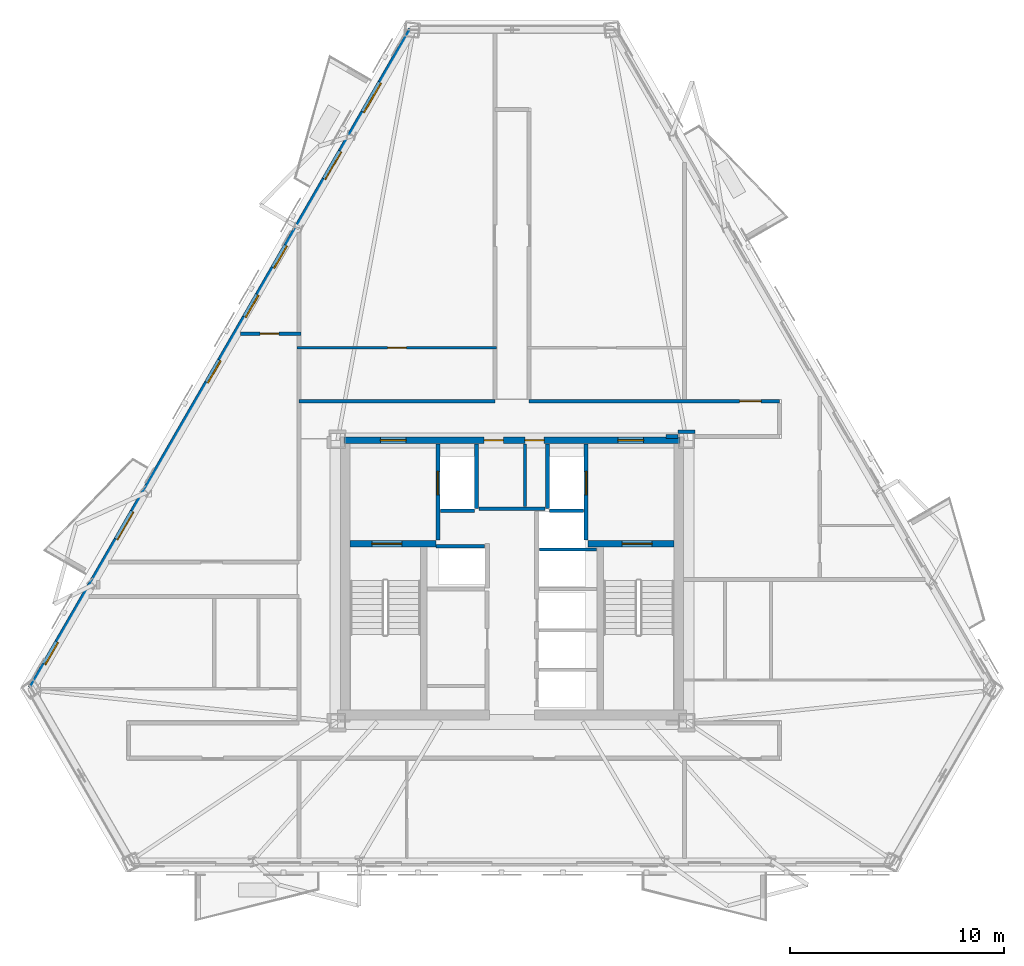
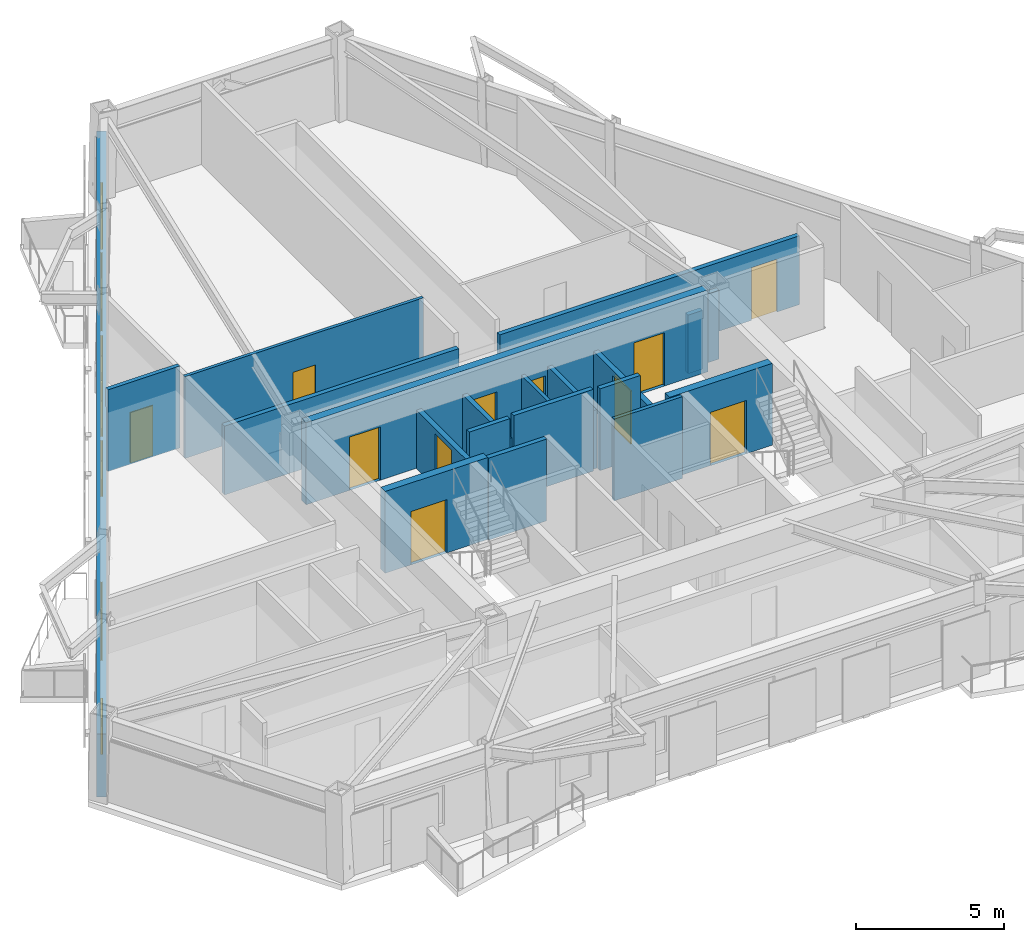
# One storey, part 4 of 9: 20 walls, 13 doors, 5 windows, 18 openings.
"""IFC4 building model written with IfcOpenShell, lengths in metres."""

from ifc_helpers import new_model, si_unit, direction, frame, frame_2d, origin, place, context, subcontext, project, spatial, rectangle, extrude, material, layer, layer_set, type_object, element, fill, save


model = new_model("IFC4")

# Units and contexts
model_context = context("Model", 3, precision=1e-05, world=origin(), true_north=direction((0.0, 1.0)))
body_context = subcontext(model_context, "Body", "Model", "MODEL_VIEW")
ifc_project = project(units=[si_unit("LENGTHUNIT", "METRE"), si_unit("AREAUNIT", "SQUARE_METRE"), si_unit("VOLUMEUNIT", "CUBIC_METRE"), si_unit("PLANEANGLEUNIT", "RADIAN"), si_unit("MASSUNIT", "GRAM", prefix="KILO")], contexts=[model_context])

# Site, building, storey
site_placement = place(None, origin())
site = spatial("IfcSite", under=ifc_project, at=site_placement, CompositionType="ELEMENT")
building_placement = place(site_placement, origin())
building = spatial("IfcBuilding", under=site, at=building_placement, Name="Oramaril Tower", CompositionType="ELEMENT")
storey_placement = place(building_placement, frame((0.0, 0.0, 153.0)))
storey = spatial("IfcBuildingStorey", under=building, at=storey_placement, Name="L40", CompositionType="ELEMENT", Elevation=153.0)

# Wall, openings, doors, windows
ifc_material_1 = material(Name="Warm Cream Limestone", Category="masonry")
ifc_layer_1 = layer(ifc_material_1, 0.340087890625)
ifc_layer_set_1 = layer_set([ifc_layer_1], Name="WT-EXT34")
wall_type_1 = type_object("IfcWallType", Name="WT-EXT34", PredefinedType="SOLIDWALL", material=ifc_layer_set_1)
wall_1_placement = place(storey_placement, frame((32.81787109375, 43.322021484375, 0.0), z_axis=(0.0, 0.0, 1.0), x_axis=(-0.500000946011, -0.866024857604, 0.0)))
wall_1 = element("IfcWall", 1, at=wall_1_placement, inside=storey, type_object=wall_type_1, Name="L40 Tower Limestone Facade Wall 6M", PredefinedType="SOLIDWALL", context=body_context, shape_type="SweptSolid", body=[
    extrude(rectangle(XDim=35.53955078125, YDim=0.340087890625, at=frame_2d((17.769775390625, 0.0))), origin(), (0.0, 0.0, 1.0), 2.60009765625),
])
opening_1_placement = place(wall_1_placement, frame((6.579345703125, 0.0, 0.0)))
opening_1 = element("IfcOpeningElement", 2, at=opening_1_placement, cuts=wall_1, Name="Opening D-L40-BAL-NW1", PredefinedType="OPENING", context=body_context, shape_type="SweptSolid", body=[
    extrude(rectangle(XDim=1.5, YDim=2.199951171875, at=frame_2d((0.75, 1.10009765625))), frame((0.0, 0.169921875, 0.0), z_axis=(0.0, -1.0, 0.0), x_axis=(1.0, 0.0, 0.0)), (0.0, 0.0, 1.0), 0.340087890625),
])
opening_2_placement = place(wall_1_placement, frame((26.005126953125, 0.0, 0.0)))
opening_2 = element("IfcOpeningElement", 3, at=opening_2_placement, cuts=wall_1, Name="Opening D-L40-BAL-NW2", PredefinedType="OPENING", context=body_context, shape_type="SweptSolid", body=[
    extrude(rectangle(XDim=1.5, YDim=2.199951171875, at=frame_2d((0.75, 1.10009765625))), frame((0.0, 0.169921875, 0.0), z_axis=(0.0, -1.0, 0.0), x_axis=(1.0, 0.0, 0.0)), (0.0, 0.0, 1.0), 0.340087890625),
])
opening_3_placement = place(wall_1_placement, frame((33.048583984375, 0.0, 0.85009765625)))
opening_3 = element("IfcOpeningElement", 4, at=opening_3_placement, cuts=wall_1, Name="Opening WN-09", PredefinedType="OPENING", context=body_context, shape_type="SweptSolid", body=[
    extrude(rectangle(XDim=1.199951171875, YDim=1.47998046875, at=frame_2d((0.60009765625, 0.739990234375))), frame((0.0, 0.169921875, 0.0), z_axis=(0.0, -1.0, 0.0), x_axis=(1.0, 0.0, 0.0)), (0.0, 0.0, 1.0), 0.340087890625),
])
opening_4_placement = place(wall_1_placement, frame((17.852783203125, 0.0, 0.85009765625)))
opening_4 = element("IfcOpeningElement", 5, at=opening_4_placement, cuts=wall_1, Name="Opening WN-09", PredefinedType="OPENING", context=body_context, shape_type="SweptSolid", body=[
    extrude(rectangle(XDim=1.199951171875, YDim=1.47998046875, at=frame_2d((0.60009765625, 0.739990234375))), frame((0.0, 0.169921875, 0.0), z_axis=(0.0, -1.0, 0.0), x_axis=(1.0, 0.0, 0.0)), (0.0, 0.0, 1.0), 0.340087890625),
])
opening_5_placement = place(wall_1_placement, frame((11.660888671875, 0.0, 0.85009765625)))
opening_5 = element("IfcOpeningElement", 6, at=opening_5_placement, cuts=wall_1, Name="Opening WN-09", PredefinedType="OPENING", context=body_context, shape_type="SweptSolid", body=[
    extrude(rectangle(XDim=1.199951171875, YDim=1.47998046875, at=frame_2d((0.60009765625, 0.739990234375))), frame((0.0, 0.169921875, 0.0), z_axis=(0.0, -1.0, 0.0), x_axis=(1.0, 0.0, 0.0)), (0.0, 0.0, 1.0), 0.340087890625),
])
opening_6_placement = place(wall_1_placement, frame((14.317138671875, 0.0, 0.85009765625)))
opening_6 = element("IfcOpeningElement", 7, at=opening_6_placement, cuts=wall_1, Name="Opening WN-09", PredefinedType="OPENING", context=body_context, shape_type="SweptSolid", body=[
    extrude(rectangle(XDim=1.199951171875, YDim=1.47998046875, at=frame_2d((0.60009765625, 0.739990234375))), frame((0.0, 0.169921875, 0.0), z_axis=(0.0, -1.0, 0.0), x_axis=(1.0, 0.0, 0.0)), (0.0, 0.0, 1.0), 0.340087890625),
])
opening_7_placement = place(wall_1_placement, frame((2.864990234375, 0.0, 0.85009765625)))
opening_7 = element("IfcOpeningElement", 8, at=opening_7_placement, cuts=wall_1, Name="Opening WN-07", PredefinedType="OPENING", context=body_context, shape_type="SweptSolid", body=[
    extrude(rectangle(XDim=1.60009765625, YDim=1.639892578125, at=frame_2d((0.800048828125, 0.81982421875))), frame((0.0, 0.169921875, 0.0), z_axis=(0.0, -1.0, 0.0), x_axis=(1.0, 0.0, 0.0)), (0.0, 0.0, 1.0), 0.340087890625),
])
ifc_material_2 = material(Name="Anodised Aluminium 6063-T6", Category="aluminium")
door_type_1 = type_object("IfcDoorType", Name="DT-BAL", OperationType="NOTDEFINED", PredefinedType="DOOR", material=ifc_material_2)
door_1_placement = place(opening_1_placement, origin())
door_1 = element("IfcDoor", 9, at=door_1_placement, inside=storey, type_object=door_type_1, Name="L40 Balcony Glazed Door L40-BAL-NW1", OperationType="SINGLE_SWING_LEFT", OverallHeight=2.199951171875, OverallWidth=1.5, PredefinedType="DOOR", context=body_context, shape_type="SweptSolid", body=[
    extrude(rectangle(XDim=1.5, YDim=2.199951171875, at=frame_2d((0.75, 1.10009765625))), frame((0.0, 0.02490234375, 0.0), z_axis=(0.0, -1.0, 0.0), x_axis=(1.0, 0.0, 0.0)), (0.0, 0.0, 1.0), 0.050048828125),
])
fill(opening_1, door_1)
door_2_placement = place(opening_2_placement, origin())
door_2 = element("IfcDoor", 10, at=door_2_placement, inside=storey, type_object=door_type_1, Name="L40 Balcony Glazed Door L40-BAL-NW2", OperationType="SINGLE_SWING_RIGHT", OverallHeight=2.199951171875, OverallWidth=1.5, PredefinedType="DOOR", context=body_context, shape_type="SweptSolid", body=[
    extrude(rectangle(XDim=1.5, YDim=2.199951171875, at=frame_2d((0.75, 1.10009765625))), frame((0.0, 0.02490234375, 0.0), z_axis=(0.0, -1.0, 0.0), x_axis=(1.0, 0.0, 0.0)), (0.0, 0.0, 1.0), 0.050048828125),
])
fill(opening_2, door_2)
ifc_material_3 = material(Name="Coastal Low-E Insulated Glass", Category="glass")
window_type_1 = type_object("IfcWindowType", Name="WNT-07", PartitioningType="SINGLE_PANEL", PredefinedType="WINDOW", material=ifc_material_3)
window_1_placement = place(opening_7_placement, origin())
window_1 = element("IfcWindow", 11, at=window_1_placement, inside=storey, type_object=window_type_1, Name="L40 Chicago Bay Window WN-07", OverallHeight=1.639892578125, OverallWidth=1.60009765625, PartitioningType="SINGLE_PANEL", PredefinedType="WINDOW", context=body_context, shape_type="SweptSolid", body=[
    extrude(rectangle(XDim=1.60009765625, YDim=1.639892578125, at=frame_2d((0.800048828125, 0.81982421875))), frame((0.0, 0.030029296875, 0.0), z_axis=(0.0, -1.0, 0.0), x_axis=(1.0, 0.0, 0.0)), (0.0, 0.0, 1.0), 0.06005859375),
])
fill(opening_7, window_1)
ifc_material_4 = material(Name="Coastal Low-E Insulated Glass", Category="glass")
window_type_2 = type_object("IfcWindowType", Name="WNT-09", PartitioningType="SINGLE_PANEL", PredefinedType="WINDOW", material=ifc_material_4)
window_2_placement = place(opening_3_placement, origin())
window_2 = element("IfcWindow", 12, at=window_2_placement, inside=storey, type_object=window_type_2, Name="L40 Chicago Bay Window WN-09", OverallHeight=1.47998046875, OverallWidth=1.199951171875, PartitioningType="SINGLE_PANEL", PredefinedType="WINDOW", context=body_context, shape_type="SweptSolid", body=[
    extrude(rectangle(XDim=1.199951171875, YDim=1.47998046875, at=frame_2d((0.60009765625, 0.739990234375))), frame((0.0, 0.030029296875, 0.0), z_axis=(0.0, -1.0, 0.0), x_axis=(1.0, 0.0, 0.0)), (0.0, 0.0, 1.0), 0.06005859375),
])
fill(opening_3, window_2)
window_3_placement = place(opening_4_placement, origin())
window_3 = element("IfcWindow", 13, at=window_3_placement, inside=storey, type_object=window_type_2, Name="L40 Chicago Bay Window WN-09", OverallHeight=1.47998046875, OverallWidth=1.199951171875, PartitioningType="SINGLE_PANEL", PredefinedType="WINDOW", context=body_context, shape_type="SweptSolid", body=[
    extrude(rectangle(XDim=1.199951171875, YDim=1.47998046875, at=frame_2d((0.60009765625, 0.739990234375))), frame((0.0, 0.030029296875, 0.0), z_axis=(0.0, -1.0, 0.0), x_axis=(1.0, 0.0, 0.0)), (0.0, 0.0, 1.0), 0.06005859375),
])
fill(opening_4, window_3)
window_4_placement = place(opening_5_placement, origin())
window_4 = element("IfcWindow", 14, at=window_4_placement, inside=storey, type_object=window_type_2, Name="L40 Chicago Bay Window WN-09", OverallHeight=1.47998046875, OverallWidth=1.199951171875, PartitioningType="SINGLE_PANEL", PredefinedType="WINDOW", context=body_context, shape_type="SweptSolid", body=[
    extrude(rectangle(XDim=1.199951171875, YDim=1.47998046875, at=frame_2d((0.60009765625, 0.739990234375))), frame((0.0, 0.030029296875, 0.0), z_axis=(0.0, -1.0, 0.0), x_axis=(1.0, 0.0, 0.0)), (0.0, 0.0, 1.0), 0.06005859375),
])
fill(opening_5, window_4)
window_5_placement = place(opening_6_placement, origin())
window_5 = element("IfcWindow", 15, at=window_5_placement, inside=storey, type_object=window_type_2, Name="L40 Chicago Bay Window WN-09", OverallHeight=1.47998046875, OverallWidth=1.199951171875, PartitioningType="SINGLE_PANEL", PredefinedType="WINDOW", context=body_context, shape_type="SweptSolid", body=[
    extrude(rectangle(XDim=1.199951171875, YDim=1.47998046875, at=frame_2d((0.60009765625, 0.739990234375))), frame((0.0, 0.030029296875, 0.0), z_axis=(0.0, -1.0, 0.0), x_axis=(1.0, 0.0, 0.0)), (0.0, 0.0, 1.0), 0.06005859375),
])
fill(opening_6, window_5)

# Wall, opening, door
ifc_material_5 = material(Name="Acoustic Gypsum Board Partition")
ifc_layer_2 = layer(ifc_material_5, 0.1201171875)
ifc_layer_set_2 = layer_set([ifc_layer_2], Name="WT-PT12")
wall_type_2 = type_object("IfcWallType", Name="WT-PT12", PredefinedType="PARTITIONING", material=ifc_layer_set_2)
wall_2_placement = place(storey_placement, frame((27.468017578125, 28.469970703125, 0.0), z_axis=(0.0, 0.0, 1.0), x_axis=(1.0, 0.0, 0.0)))
wall_2 = element("IfcWall", 16, at=wall_2_placement, inside=storey, type_object=wall_type_2, Name="L40 Interior Partition PT-12", PredefinedType="PARTITIONING", context=body_context, shape_type="SweptSolid", body=[
    extrude(rectangle(XDim=9.31396484375, YDim=0.1201171875, at=frame_2d((4.656982421875, 0.0))), origin(), (0.0, 0.0, 1.0), 3.3798828125),
])
opening_8_placement = place(wall_2_placement, frame((4.217041015625, 0.0, 0.0)))
opening_8 = element("IfcOpeningElement", 17, at=opening_8_placement, cuts=wall_2, Name="Opening D-L40-12", PredefinedType="OPENING", context=body_context, shape_type="SweptSolid", body=[
    extrude(rectangle(XDim=0.8798828125, YDim=2.080078125, at=frame_2d((0.43994140625, 1.0400390625))), frame((0.0, 0.06005859375, 0.0), z_axis=(0.0, -1.0, 0.0), x_axis=(1.0, 0.0, 0.0)), (0.0, 0.0, 1.0), 0.1201171875),
])
ifc_material_6 = material(Name="FSC Brazilian Freijo Hardwood", Category="wood")
door_type_2 = type_object("IfcDoorType", Name="DT-BATH", OperationType="NOTDEFINED", PredefinedType="DOOR", material=ifc_material_6)
door_3_placement = place(opening_8_placement, origin())
door_3 = element("IfcDoor", 18, at=door_3_placement, inside=storey, type_object=door_type_2, Name="L40 Flat L40-U6 Bathroom Door D-L40-12", OperationType="SINGLE_SWING_RIGHT", OverallHeight=2.080078125, OverallWidth=0.8798828125, PredefinedType="DOOR", context=body_context, shape_type="SweptSolid", body=[
    extrude(rectangle(XDim=0.8798828125, YDim=2.080078125, at=frame_2d((0.43994140625, 1.0400390625))), frame((0.0, 0.02490234375, 0.0), z_axis=(0.0, -1.0, 0.0), x_axis=(1.0, 0.0, 0.0)), (0.0, 0.0, 1.0), 0.050048828125),
])
fill(opening_8, door_3)

# Walls
ifc_material_7 = material(Name="Acoustic Gypsum Board Partition")
ifc_layer_3 = layer(ifc_material_7, 0.139892578125)
ifc_layer_set_3 = layer_set([ifc_layer_3], Name="WT-PT14")
wall_type_3 = type_object("IfcWallType", Name="WT-PT14", PredefinedType="PARTITIONING", material=ifc_layer_set_3)
wall_3_placement = place(storey_placement, frame((38.780029296875, 19.050048828125, 0.0), z_axis=(0.0, 0.0, 1.0), x_axis=(1.0, 0.0, 0.0)))
element("IfcWall", 19, at=wall_3_placement, inside=storey, type_object=wall_type_3, Name="L40 East Lift Divider", PredefinedType="PARTITIONING", context=body_context, shape_type="SweptSolid", body=[
    extrude(rectangle(XDim=2.659912109375, YDim=0.139892578125, at=frame_2d((1.330078125, 0.0))), origin(), (0.0, 0.0, 1.0), 3.3798828125),
])
wall_4_placement = place(storey_placement, frame((38.110107421875, 21.06005859375, 0.0), z_axis=(0.0, 0.0, 1.0), x_axis=(0.0, 1.0, 0.0)))
element("IfcWall", 20, at=wall_4_placement, inside=storey, type_object=wall_type_3, Name="L40 Core Service Divider", PredefinedType="PARTITIONING", context=body_context, shape_type="SweptSolid", body=[
    extrude(rectangle(XDim=2.919921875, YDim=0.139892578125, at=frame_2d((1.4599609375, 0.0))), origin(), (0.0, 0.0, 1.0), 2.419921875),
])

# Wall, opening, door
ifc_material_8 = material(Name="Acoustic Gypsum Board Partition")
ifc_layer_4 = layer(ifc_material_8, 0.159912109375)
ifc_layer_set_4 = layer_set([ifc_layer_4], Name="WT-PT16")
wall_type_4 = type_object("IfcWallType", Name="WT-PT16", PredefinedType="PARTITIONING", material=ifc_layer_set_4)
wall_5_placement = place(storey_placement, frame((24.819091796875, 29.1201171875, 0.0), z_axis=(0.0, 0.0, 1.0), x_axis=(1.0, 0.0, 0.0)))
wall_5 = element("IfcWall", 21, at=wall_5_placement, inside=storey, type_object=wall_type_4, Name="L40 Interior Partition PT-16", PredefinedType="PARTITIONING", context=body_context, shape_type="SweptSolid", body=[
    extrude(rectangle(XDim=2.81298828125, YDim=0.159912109375, at=frame_2d((1.406494140625, 0.0))), origin(), (0.0, 0.0, 1.0), 3.3798828125),
])
opening_9_placement = place(wall_5_placement, frame((0.912353515625, 0.0, 0.0)))
opening_9 = element("IfcOpeningElement", 22, at=opening_9_placement, cuts=wall_5, Name="Opening D-L40-14", PredefinedType="OPENING", context=body_context, shape_type="SweptSolid", body=[
    extrude(rectangle(XDim=0.8798828125, YDim=2.080078125, at=frame_2d((0.43994140625, 1.0400390625))), frame((0.0, 0.080078125, 0.0), z_axis=(0.0, -1.0, 0.0), x_axis=(1.0, 0.0, 0.0)), (0.0, 0.0, 1.0), 0.159912109375),
])
door_4_placement = place(opening_9_placement, origin())
door_4 = element("IfcDoor", 23, at=door_4_placement, inside=storey, type_object=door_type_2, Name="L40 Flat L40-U3 Bathroom Door D-L40-14", OperationType="SINGLE_SWING_RIGHT", OverallHeight=2.080078125, OverallWidth=0.8798828125, PredefinedType="DOOR", context=body_context, shape_type="SweptSolid", body=[
    extrude(rectangle(XDim=0.8798828125, YDim=2.080078125, at=frame_2d((0.43994140625, 1.0400390625))), frame((0.0, 0.02490234375, 0.0), z_axis=(0.0, -1.0, 0.0), x_axis=(1.0, 0.0, 0.0)), (0.0, 0.0, 1.0), 0.050048828125),
])
fill(opening_9, door_4)

# Walls
ifc_material_9 = material(Name="Autoclaved Cellular Concrete Block", Category="concrete")
ifc_layer_5 = layer(ifc_material_9, 0.179931640625)
ifc_layer_set_5 = layer_set([ifc_layer_5], Name="WT-PT18")
wall_type_5 = type_object("IfcWallType", Name="WT-PT18", PredefinedType="PARTITIONING", material=ifc_layer_set_5)
wall_6_placement = place(storey_placement, frame((35.840087890625, 20.9599609375, 0.0), z_axis=(0.0, 0.0, 1.0), x_axis=(0.0, 1.0, 0.0)))
element("IfcWall", 24, at=wall_6_placement, inside=storey, type_object=wall_type_5, Name="L40 FL-1 East Shaft Wall", PredefinedType="PARTITIONING", context=body_context, shape_type="SweptSolid", body=[
    extrude(rectangle(XDim=3.02001953125, YDim=0.179931640625, at=frame_2d((1.510009765625, 0.0))), origin(), (0.0, 0.0, 1.0), 2.419921875),
])
wall_7_placement = place(storey_placement, frame((34.159912109375, 20.860107421875, 0.0), z_axis=(0.0, 0.0, 1.0), x_axis=(1.0, 0.0, 0.0)))
element("IfcWall", 25, at=wall_7_placement, inside=storey, type_object=wall_type_5, Name="L40 FL-1 South Shaft Wall", PredefinedType="PARTITIONING", context=body_context, shape_type="SweptSolid", body=[
    extrude(rectangle(XDim=1.580078125, YDim=0.179931640625, at=frame_2d((0.7900390625, 0.0))), origin(), (0.0, 0.0, 1.0), 3.3798828125),
])
wall_8_placement = place(storey_placement, frame((39.159912109375, 20.9599609375, 0.0), z_axis=(0.0, 0.0, 1.0), x_axis=(0.0, 1.0, 0.0)))
element("IfcWall", 26, at=wall_8_placement, inside=storey, type_object=wall_type_5, Name="L40 FL-2 West Shaft Wall", PredefinedType="PARTITIONING", context=body_context, shape_type="SweptSolid", body=[
    extrude(rectangle(XDim=3.02001953125, YDim=0.179931640625, at=frame_2d((1.510009765625, 0.0))), origin(), (0.0, 0.0, 1.0), 2.419921875),
])
wall_9_placement = place(storey_placement, frame((39.260009765625, 20.860107421875, 0.0), z_axis=(0.0, 0.0, 1.0), x_axis=(1.0, 0.0, 0.0)))
element("IfcWall", 27, at=wall_9_placement, inside=storey, type_object=wall_type_5, Name="L40 FL-2 South Shaft Wall", PredefinedType="PARTITIONING", context=body_context, shape_type="SweptSolid", body=[
    extrude(rectangle(XDim=1.580078125, YDim=0.179931640625, at=frame_2d((0.7900390625, 0.0))), origin(), (0.0, 0.0, 1.0), 3.3798828125),
])
wall_10_placement = place(storey_placement, frame((33.949951171875, 19.199951171875, 0.0), z_axis=(0.0, 0.0, 1.0), x_axis=(1.0, 0.0, 0.0)))
element("IfcWall", 28, at=wall_10_placement, inside=storey, type_object=wall_type_5, Name="L40 High-Rise Lift H1 North Shaft Wall", PredefinedType="PARTITIONING", context=body_context, shape_type="SweptSolid", body=[
    extrude(rectangle(XDim=2.27001953125, YDim=0.179931640625, at=frame_2d((1.135009765625, 0.0))), origin(), (0.0, 0.0, 1.0), 3.3798828125),
])
wall_11_placement = place(storey_placement, frame((35.949951171875, 20.949951171875, 0.0), z_axis=(0.0, 0.0, 1.0), x_axis=(1.0, 0.0, 0.0)))
element("IfcWall", 29, at=wall_11_placement, inside=storey, type_object=wall_type_5, Name="L40 Lift Lobby North Partition", PredefinedType="PARTITIONING", context=body_context, shape_type="SweptSolid", body=[
    extrude(rectangle(XDim=3.10009765625, YDim=0.179931640625, at=frame_2d((1.550048828125, 0.0))), origin(), (0.0, 0.0, 1.0), 3.3798828125),
])
wall_12_placement = place(storey_placement, frame((44.695068359375, 24.320068359375, 0.0), z_axis=(0.0, 0.0, 1.0), x_axis=(1.0, 0.0, 0.0)))
element("IfcWall", 30, at=wall_12_placement, inside=storey, type_object=wall_type_5, Name="L40 Interior Partition PT-18", PredefinedType="PARTITIONING", context=body_context, shape_type="SweptSolid", body=[
    extrude(rectangle(XDim=0.56494140625, YDim=0.179931640625, at=frame_2d((0.282470703125, 0.0))), origin(), (0.0, 0.0, 1.0), 2.419921875),
])
wall_13_placement = place(storey_placement, frame((45.2548828125, 24.550048828125, 0.0), z_axis=(0.0, 0.0, 1.0), x_axis=(1.0, 0.0, 0.0)))
element("IfcWall", 31, at=wall_13_placement, inside=storey, type_object=wall_type_5, Name="L40 Interior Partition PT-18", PredefinedType="PARTITIONING", context=body_context, shape_type="SweptSolid", body=[
    extrude(rectangle(XDim=0.7900390625, YDim=0.179931640625, at=frame_2d((0.39501953125, 0.0))), origin(), (0.0, 0.0, 1.0), 2.842041015625),
])
wall_14_placement = place(storey_placement, frame((27.550048828125, 25.969970703125, 0.0), z_axis=(0.0, 0.0, 1.0), x_axis=(1.0, 0.0, 0.0)))
element("IfcWall", 32, at=wall_14_placement, inside=storey, type_object=wall_type_5, Name="L40 Interior Partition PT-18", PredefinedType="PARTITIONING", context=body_context, shape_type="SweptSolid", body=[
    extrude(rectangle(XDim=9.14990234375, YDim=0.179931640625, at=frame_2d((4.574951171875, 0.0))), origin(), (0.0, 0.0, 1.0), 2.842041015625),
])

# Wall, opening, door
wall_15_placement = place(storey_placement, frame((38.300048828125, 25.969970703125, 0.0), z_axis=(0.0, 0.0, 1.0), x_axis=(1.0, 0.0, 0.0)))
wall_15 = element("IfcWall", 33, at=wall_15_placement, inside=storey, type_object=wall_type_5, Name="L40 Interior Partition PT-18", PredefinedType="PARTITIONING", context=body_context, shape_type="SweptSolid", body=[
    extrude(rectangle(XDim=11.699951171875, YDim=0.179931640625, at=frame_2d((5.85009765625, 0.0))), origin(), (0.0, 0.0, 1.0), 2.842041015625),
])
opening_10_placement = place(wall_15_placement, frame((9.832275390625, 0.0, 0.0)))
opening_10 = element("IfcOpeningElement", 34, at=opening_10_placement, cuts=wall_15, Name="Opening D-L40-11", PredefinedType="OPENING", context=body_context, shape_type="SweptSolid", body=[
    extrude(rectangle(XDim=1.0, YDim=2.179931640625, at=frame_2d((0.5, 1.08984375))), frame((0.0, 0.08984375, 0.0), z_axis=(0.0, -1.0, 0.0), x_axis=(1.0, 0.0, 0.0)), (0.0, 0.0, 1.0), 0.179931640625),
])
ifc_material_10 = material(Name="FSC Brazilian Freijo Hardwood", Category="wood")
door_type_3 = type_object("IfcDoorType", Name="DT-APT", OperationType="NOTDEFINED", PredefinedType="DOOR", material=ifc_material_10)
door_5_placement = place(opening_10_placement, origin())
door_5 = element("IfcDoor", 35, at=door_5_placement, inside=storey, type_object=door_type_3, Name="L40 Flat L40-U5 Studio Apartment Door D-L40-11", OperationType="SINGLE_SWING_LEFT", OverallHeight=2.179931640625, OverallWidth=1.0, PredefinedType="DOOR", context=body_context, shape_type="SweptSolid", body=[
    extrude(rectangle(XDim=1.0, YDim=2.179931640625, at=frame_2d((0.5, 1.08984375))), frame((0.0, 0.02490234375, 0.0), z_axis=(0.0, -1.0, 0.0), x_axis=(1.0, 0.0, 0.0)), (0.0, 0.0, 1.0), 0.050048828125),
])
fill(opening_10, door_5)

# Wall, openings, doors
ifc_material_11 = material(Name="Concrete C50/60", Category="concrete")
ifc_layer_6 = layer(ifc_material_11, 0.300048828125)
ifc_layer_set_6 = layer_set([ifc_layer_6], Name="WT-SH30")
wall_type_6 = type_object("IfcWallType", Name="WT-SH30", PredefinedType="SHEAR", material=ifc_layer_set_6)
wall_16_placement = place(storey_placement, frame((29.64990234375, 24.14990234375, 0.0), z_axis=(0.0, 0.0, 1.0), x_axis=(1.0, 0.0, 0.0)))
wall_16 = element("IfcWall", 36, at=wall_16_placement, inside=storey, type_object=wall_type_6, Name="L40 Core Shear Wall CW-N", PredefinedType="SHEAR", context=body_context, shape_type="SweptSolid", body=[
    extrude(rectangle(XDim=15.7001953125, YDim=0.300048828125, at=frame_2d((7.85009765625, 0.0))), origin(), (0.0, 0.0, 1.0), 3.3798828125),
])
opening_11_placement = place(wall_16_placement, frame((1.699951171875, 0.0, 0.0)))
opening_11 = element("IfcOpeningElement", 37, at=opening_11_placement, cuts=wall_16, Name="Opening D-L40-FFL1", PredefinedType="OPENING", context=body_context, shape_type="SweptSolid", body=[
    extrude(rectangle(XDim=1.199951171875, YDim=2.199951171875, at=frame_2d((0.60009765625, 1.10009765625))), frame((0.0, 0.14990234375, 0.0), z_axis=(0.0, -1.0, 0.0), x_axis=(1.0, 0.0, 0.0)), (0.0, 0.0, 1.0), 0.300048828125),
])
opening_12_placement = place(wall_16_placement, frame((12.800048828125, 0.0, 0.0)))
opening_12 = element("IfcOpeningElement", 38, at=opening_12_placement, cuts=wall_16, Name="Opening D-L40-FFL2", PredefinedType="OPENING", context=body_context, shape_type="SweptSolid", body=[
    extrude(rectangle(XDim=1.199951171875, YDim=2.199951171875, at=frame_2d((0.60009765625, 1.10009765625))), frame((0.0, 0.14990234375, 0.0), z_axis=(0.0, -1.0, 0.0), x_axis=(1.0, 0.0, 0.0)), (0.0, 0.0, 1.0), 0.300048828125),
])
opening_13_placement = place(wall_16_placement, frame((6.550048828125, 0.0, 0.0)))
opening_13 = element("IfcOpeningElement", 39, at=opening_13_placement, cuts=wall_16, Name="Opening D-L40-SV1", PredefinedType="OPENING", context=body_context, shape_type="SweptSolid", body=[
    extrude(rectangle(XDim=0.89990234375, YDim=2.050048828125, at=frame_2d((0.449951171875, 1.02490234375))), frame((0.0, 0.14990234375, 0.0), z_axis=(0.0, -1.0, 0.0), x_axis=(1.0, 0.0, 0.0)), (0.0, 0.0, 1.0), 0.300048828125),
])
opening_14_placement = place(wall_16_placement, frame((8.449951171875, 0.0, 0.0)))
opening_14 = element("IfcOpeningElement", 40, at=opening_14_placement, cuts=wall_16, Name="Opening D-L40-SV2", PredefinedType="OPENING", context=body_context, shape_type="SweptSolid", body=[
    extrude(rectangle(XDim=0.89990234375, YDim=2.050048828125, at=frame_2d((0.449951171875, 1.02490234375))), frame((0.0, 0.14990234375, 0.0), z_axis=(0.0, -1.0, 0.0), x_axis=(1.0, 0.0, 0.0)), (0.0, 0.0, 1.0), 0.300048828125),
])
ifc_material_12 = material(Name="Painted Galvanised Steel", Category="steel")
door_type_4 = type_object("IfcDoorType", Name="DT-FFL", OperationType="NOTDEFINED", PredefinedType="DOOR", material=ifc_material_12)
door_6_placement = place(opening_11_placement, origin())
door_6 = element("IfcDoor", 41, at=door_6_placement, inside=storey, type_object=door_type_4, Name="L40 Firefighting Lobby 1 Fire Door", OperationType="SINGLE_SWING_LEFT", OverallHeight=2.199951171875, OverallWidth=1.199951171875, PredefinedType="DOOR", context=body_context, shape_type="SweptSolid", body=[
    extrude(rectangle(XDim=1.199951171875, YDim=2.199951171875, at=frame_2d((0.60009765625, 1.10009765625))), frame((0.0, 0.02490234375, 0.0), z_axis=(0.0, -1.0, 0.0), x_axis=(1.0, 0.0, 0.0)), (0.0, 0.0, 1.0), 0.050048828125),
])
fill(opening_11, door_6)
door_7_placement = place(opening_12_placement, origin())
door_7 = element("IfcDoor", 42, at=door_7_placement, inside=storey, type_object=door_type_4, Name="L40 Firefighting Lobby 2 Fire Door", OperationType="SINGLE_SWING_RIGHT", OverallHeight=2.199951171875, OverallWidth=1.199951171875, PredefinedType="DOOR", context=body_context, shape_type="SweptSolid", body=[
    extrude(rectangle(XDim=1.199951171875, YDim=2.199951171875, at=frame_2d((0.60009765625, 1.10009765625))), frame((0.0, 0.02490234375, 0.0), z_axis=(0.0, -1.0, 0.0), x_axis=(1.0, 0.0, 0.0)), (0.0, 0.0, 1.0), 0.050048828125),
])
fill(opening_12, door_7)
ifc_material_13 = material(Name="Painted Galvanised Steel", Category="steel")
door_type_5 = type_object("IfcDoorType", Name="DT-SVC", OperationType="NOTDEFINED", PredefinedType="DOOR", material=ifc_material_13)
door_8_placement = place(opening_13_placement, origin())
door_8 = element("IfcDoor", 43, at=door_8_placement, inside=storey, type_object=door_type_5, Name="L40 Core Service Store 1 Door", OperationType="SINGLE_SWING_LEFT", OverallHeight=2.050048828125, OverallWidth=0.89990234375, PredefinedType="DOOR", context=body_context, shape_type="SweptSolid", body=[
    extrude(rectangle(XDim=0.89990234375, YDim=2.050048828125, at=frame_2d((0.449951171875, 1.02490234375))), frame((0.0, 0.02490234375, 0.0), z_axis=(0.0, -1.0, 0.0), x_axis=(1.0, 0.0, 0.0)), (0.0, 0.0, 1.0), 0.050048828125),
])
fill(opening_13, door_8)
door_9_placement = place(opening_14_placement, origin())
door_9 = element("IfcDoor", 44, at=door_9_placement, inside=storey, type_object=door_type_5, Name="L40 Core Service Store 2 Door", OperationType="SINGLE_SWING_RIGHT", OverallHeight=2.050048828125, OverallWidth=0.89990234375, PredefinedType="DOOR", context=body_context, shape_type="SweptSolid", body=[
    extrude(rectangle(XDim=0.89990234375, YDim=2.050048828125, at=frame_2d((0.449951171875, 1.02490234375))), frame((0.0, 0.02490234375, 0.0), z_axis=(0.0, -1.0, 0.0), x_axis=(1.0, 0.0, 0.0)), (0.0, 0.0, 1.0), 0.050048828125),
])
fill(opening_14, door_9)

# Wall, opening, door
wall_17_placement = place(storey_placement, frame((29.93994140625, 19.31005859375, 0.0), z_axis=(0.0, 0.0, 1.0), x_axis=(1.0, 0.0, 0.0)))
wall_17 = element("IfcWall", 45, at=wall_17_placement, inside=storey, type_object=wall_type_6, Name="L40 Core Shear Wall CW-ST1N", PredefinedType="SHEAR", context=body_context, shape_type="SweptSolid", body=[
    extrude(rectangle(XDim=4.010009765625, YDim=0.300048828125, at=frame_2d((2.0048828125, 0.0))), origin(), (0.0, 0.0, 1.0), 3.3798828125),
])
opening_15_placement = place(wall_17_placement, frame((1.010009765625, 0.0, 0.0)))
opening_15 = element("IfcOpeningElement", 46, at=opening_15_placement, cuts=wall_17, Name="Opening D-L40-ST1", PredefinedType="OPENING", context=body_context, shape_type="SweptSolid", body=[
    extrude(rectangle(XDim=1.39990234375, YDim=2.199951171875, at=frame_2d((0.699951171875, 1.10009765625))), frame((0.0, 0.14990234375, 0.0), z_axis=(0.0, -1.0, 0.0), x_axis=(1.0, 0.0, 0.0)), (0.0, 0.0, 1.0), 0.300048828125),
])
ifc_material_14 = material(Name="Painted Galvanised Steel", Category="steel")
door_type_6 = type_object("IfcDoorType", Name="DT-ST", OperationType="NOTDEFINED", PredefinedType="DOOR", material=ifc_material_14)
door_10_placement = place(opening_15_placement, origin())
door_10 = element("IfcDoor", 47, at=door_10_placement, inside=storey, type_object=door_type_6, Name="L40 Protected Stair ST-1 Fire Door", OperationType="SINGLE_SWING_LEFT", OverallHeight=2.199951171875, OverallWidth=1.39990234375, PredefinedType="DOOR", context=body_context, shape_type="SweptSolid", body=[
    extrude(rectangle(XDim=1.39990234375, YDim=2.199951171875, at=frame_2d((0.699951171875, 1.10009765625))), frame((0.0, 0.02490234375, 0.0), z_axis=(0.0, -1.0, 0.0), x_axis=(1.0, 0.0, 0.0)), (0.0, 0.0, 1.0), 0.050048828125),
])
fill(opening_15, door_10)

wall_18_placement = place(storey_placement, frame((41.050048828125, 19.31005859375, 0.0), z_axis=(0.0, 0.0, 1.0), x_axis=(1.0, 0.0, 0.0)))
wall_18 = element("IfcWall", 48, at=wall_18_placement, inside=storey, type_object=wall_type_6, Name="L40 Core Shear Wall CW-ST2N", PredefinedType="SHEAR", context=body_context, shape_type="SweptSolid", body=[
    extrude(rectangle(XDim=4.010009765625, YDim=0.300048828125, at=frame_2d((2.0048828125, 0.0))), origin(), (0.0, 0.0, 1.0), 3.3798828125),
])
opening_16_placement = place(wall_18_placement, frame((1.60009765625, 0.0, 0.0)))
opening_16 = element("IfcOpeningElement", 49, at=opening_16_placement, cuts=wall_18, Name="Opening D-L40-ST2", PredefinedType="OPENING", context=body_context, shape_type="SweptSolid", body=[
    extrude(rectangle(XDim=1.39990234375, YDim=2.199951171875, at=frame_2d((0.699951171875, 1.10009765625))), frame((0.0, 0.14990234375, 0.0), z_axis=(0.0, -1.0, 0.0), x_axis=(1.0, 0.0, 0.0)), (0.0, 0.0, 1.0), 0.300048828125),
])
door_11_placement = place(opening_16_placement, origin())
door_11 = element("IfcDoor", 50, at=door_11_placement, inside=storey, type_object=door_type_6, Name="L40 Protected Stair ST-2 Fire Door", OperationType="SINGLE_SWING_RIGHT", OverallHeight=2.199951171875, OverallWidth=1.39990234375, PredefinedType="DOOR", context=body_context, shape_type="SweptSolid", body=[
    extrude(rectangle(XDim=1.39990234375, YDim=2.199951171875, at=frame_2d((0.699951171875, 1.10009765625))), frame((0.0, 0.02490234375, 0.0), z_axis=(0.0, -1.0, 0.0), x_axis=(1.0, 0.0, 0.0)), (0.0, 0.0, 1.0), 0.050048828125),
])
fill(opening_16, door_11)

ifc_material_15 = material(Name="Autoclaved Cellular Concrete Block", Category="concrete")
ifc_layer_7 = layer(ifc_material_15, 0.199951171875)
ifc_layer_set_7 = layer_set([ifc_layer_7], Name="WT-SHF20")
wall_type_7 = type_object("IfcWallType", Name="WT-SHF20", PredefinedType="PARTITIONING", material=ifc_layer_set_7)
wall_19_placement = place(storey_placement, frame((34.0400390625, 19.47998046875, 0.0), z_axis=(0.0, 0.0, 1.0), x_axis=(0.0, 1.0, 0.0)))
wall_19 = element("IfcWall", 51, at=wall_19_placement, inside=storey, type_object=wall_type_7, Name="L40 FL-1 Lobby Shaft Wall", PredefinedType="PARTITIONING", context=body_context, shape_type="SweptSolid", body=[
    extrude(rectangle(XDim=4.5, YDim=0.199951171875, at=frame_2d((2.25, 0.0))), origin(), (0.0, 0.0, 1.0), 2.419921875),
])
opening_17_placement = place(wall_19_placement, frame((2.1201171875, 0.0, 0.0)))
opening_17 = element("IfcOpeningElement", 52, at=opening_17_placement, cuts=wall_19, Name="Opening LD-L40-FL-1", PredefinedType="OPENING", context=body_context, shape_type="SweptSolid", body=[
    extrude(rectangle(XDim=1.10009765625, YDim=2.199951171875, at=frame_2d((0.550048828125, 1.10009765625))), frame((0.0, 0.10009765625, 0.0), z_axis=(0.0, -1.0, 0.0), x_axis=(1.0, 0.0, 0.0)), (0.0, 0.0, 1.0), 0.199951171875),
])
ifc_material_16 = material(Name="Stainless Steel 316L", Category="steel")
door_type_7 = type_object("IfcDoorType", Name="DT-LD1", OperationType="NOTDEFINED", PredefinedType="DOOR", material=ifc_material_16)
door_12_placement = place(opening_17_placement, origin())
door_12 = element("IfcDoor", 53, at=door_12_placement, inside=storey, type_object=door_type_7, Name="L40 Lift FL-1 Sliding Landing Door", OperationType="SLIDING_TO_LEFT", OverallHeight=2.199951171875, OverallWidth=1.10009765625, PredefinedType="DOOR", context=body_context, shape_type="SweptSolid", body=[
    extrude(rectangle(XDim=1.10009765625, YDim=2.199951171875, at=frame_2d((0.550048828125, 1.10009765625))), frame((0.0, 0.02490234375, 0.0), z_axis=(0.0, -1.0, 0.0), x_axis=(1.0, 0.0, 0.0)), (0.0, 0.0, 1.0), 0.050048828125),
])
fill(opening_17, door_12)

wall_20_placement = place(storey_placement, frame((40.9599609375, 19.47998046875, 0.0), z_axis=(0.0, 0.0, 1.0), x_axis=(0.0, 1.0, 0.0)))
wall_20 = element("IfcWall", 54, at=wall_20_placement, inside=storey, type_object=wall_type_7, Name="L40 FL-2 Lobby Shaft Wall", PredefinedType="PARTITIONING", context=body_context, shape_type="SweptSolid", body=[
    extrude(rectangle(XDim=4.5, YDim=0.199951171875, at=frame_2d((2.25, 0.0))), origin(), (0.0, 0.0, 1.0), 2.419921875),
])
opening_18_placement = place(wall_20_placement, frame((2.1201171875, 0.0, 0.0)))
opening_18 = element("IfcOpeningElement", 55, at=opening_18_placement, cuts=wall_20, Name="Opening LD-L40-FL-2", PredefinedType="OPENING", context=body_context, shape_type="SweptSolid", body=[
    extrude(rectangle(XDim=1.10009765625, YDim=2.199951171875, at=frame_2d((0.550048828125, 1.10009765625))), frame((0.0, 0.10009765625, 0.0), z_axis=(0.0, -1.0, 0.0), x_axis=(1.0, 0.0, 0.0)), (0.0, 0.0, 1.0), 0.199951171875),
])
door_13_placement = place(opening_18_placement, origin())
door_13 = element("IfcDoor", 56, at=door_13_placement, inside=storey, type_object=door_type_7, Name="L40 Lift FL-2 Sliding Landing Door", OperationType="SLIDING_TO_RIGHT", OverallHeight=2.199951171875, OverallWidth=1.10009765625, PredefinedType="DOOR", context=body_context, shape_type="SweptSolid", body=[
    extrude(rectangle(XDim=1.10009765625, YDim=2.199951171875, at=frame_2d((0.550048828125, 1.10009765625))), frame((0.0, 0.02490234375, 0.0), z_axis=(0.0, -1.0, 0.0), x_axis=(1.0, 0.0, 0.0)), (0.0, 0.0, 1.0), 0.050048828125),
])
fill(opening_18, door_13)

save(model, "model.ifc")
